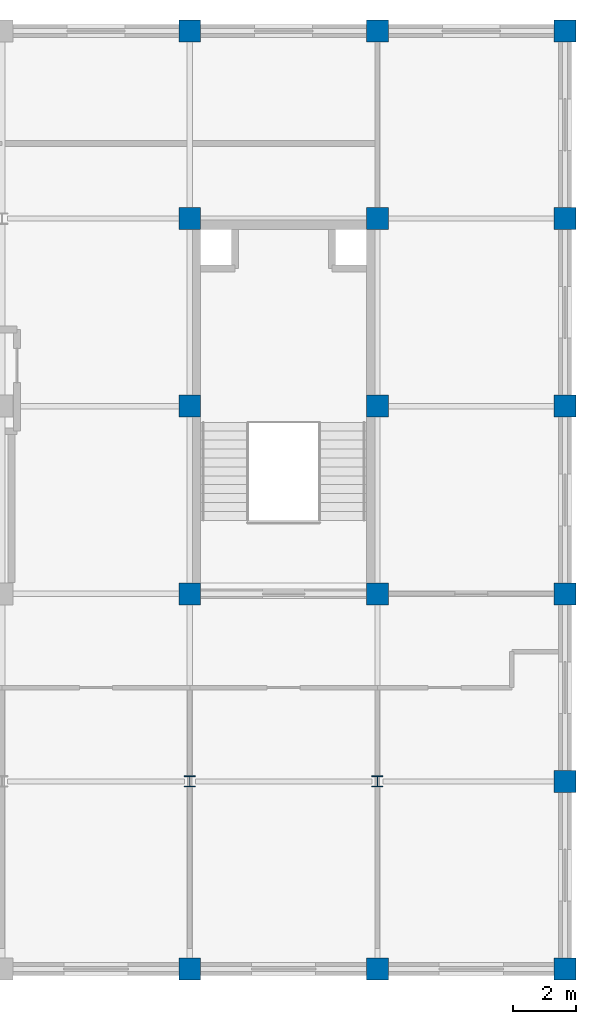
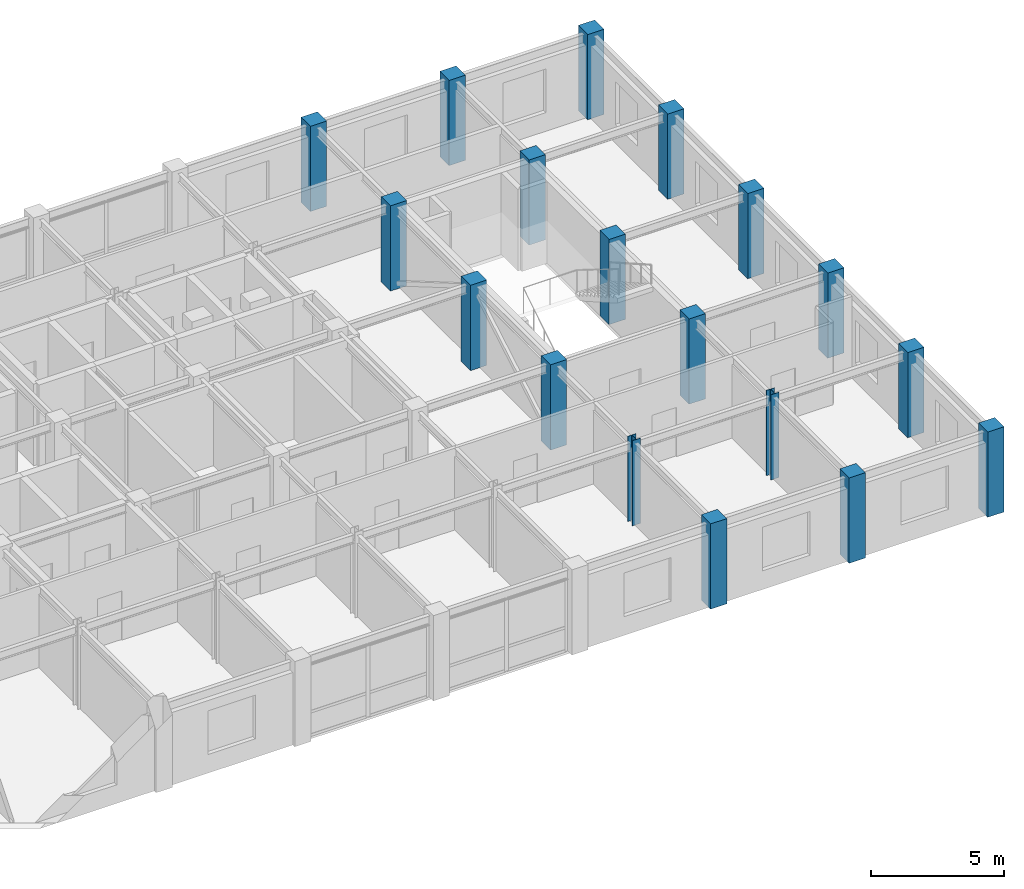
# One storey, part 2 of 12: 18 columns.
"""IFC4 building model written with IfcOpenShell, lengths in metres."""

from ifc_helpers import new_model, si_unit, direction, frame, origin, origin_2d, place, context, subcontext, project, spatial, rectangle, i_section, extrude, material, material_profile, profile_set, type_object, element, save


model = new_model("IFC4")

# Units and contexts
model_context = context("Model", 3, precision=1e-05, world=origin(), true_north=direction((0.0, 1.0)))
body_context = subcontext(model_context, "Body", "Model", "MODEL_VIEW")
ifc_project = project(units=[si_unit("LENGTHUNIT", "METRE"), si_unit("AREAUNIT", "SQUARE_METRE"), si_unit("VOLUMEUNIT", "CUBIC_METRE"), si_unit("PLANEANGLEUNIT", "RADIAN"), si_unit("MASSUNIT", "GRAM", prefix="KILO")], contexts=[model_context])

# Site, building, storey
site_placement = place(None, origin())
site = spatial("IfcSite", under=ifc_project, at=site_placement, CompositionType="ELEMENT")
building_placement = place(site_placement, origin())
building = spatial("IfcBuilding", under=site, at=building_placement, Name="Zlatovratsky Civic Hall", CompositionType="ELEMENT")
storey_placement = place(building_placement, frame((0.0, 0.0, 40.5)))
storey = spatial("IfcBuildingStorey", under=building, at=storey_placement, Name="L10", CompositionType="ELEMENT", Elevation=40.5)

# Columns
ifc_material_1 = material(Name="Concrete C35/45 (B40)", Category="concrete")
ifc_material_profile_1 = material_profile(ifc_material_1, rectangle(XDim=0.699951171875, YDim=0.699951171875, at=origin_2d()), Name="RC 700x700")
ifc_profile_set_1 = profile_set([ifc_material_profile_1], Name="Concrete C35/45 (B40)")
column_type_1 = type_object("IfcColumnType", Name="Col_CorePier_RC700", PredefinedType="COLUMN", material=ifc_profile_set_1)
for number, where, z_axis, x_axis, name in (
    (1, (96.0, 72.0, 0.0), (0.0, 0.0, 1.0), (1.0, 0.0, 0.0), "CL-2309"),
    (2, (102.0, 72.0, 0.0), (0.0, 0.0, 1.0), (1.0, 0.0, 0.0), "CL-2310"),
    (3, (108.0, 72.0, 0.0), (0.0, 0.0, 1.0), (1.0, 0.0, 0.0), "CL-2311"),
    (4, (108.0, 78.0, 0.0), (0.0, 0.0, 1.0), (1.0, 0.0, 0.0), "CL-2320"),
    (5, (96.0, 84.0, 0.0), (0.0, 0.0, 1.0), (1.0, 0.0, 0.0), "CL-2327"),
    (6, (102.0, 84.0, 0.0), (0.0, 0.0, 1.0), (1.0, 0.0, 0.0), "CL-2328"),
    (7, (108.0, 84.0, 0.0), (0.0, 0.0, 1.0), (1.0, 0.0, 0.0), "CL-2329"),
    (8, (96.0, 90.0, 0.0), (0.0, 0.0, 1.0), (1.0, 0.0, 0.0), "CL-2336"),
    (9, (102.0, 90.0, 0.0), (0.0, 0.0, 1.0), (1.0, 0.0, 0.0), "CL-2337"),
    (10, (108.0, 90.0, 0.0), (0.0, 0.0, 1.0), (1.0, 0.0, 0.0), "CL-2338"),
    (11, (96.0, 96.0, 0.0), (0.0, 0.0, 1.0), (1.0, 0.0, 0.0), "CL-2345"),
    (12, (102.0, 96.0, 0.0), (0.0, 0.0, 1.0), (1.0, 0.0, 0.0), "CL-2346"),
    (13, (108.0, 96.0, 0.0), (0.0, 0.0, 1.0), (1.0, 0.0, 0.0), "CL-2347"),
    (14, (96.0, 102.0, 0.0), (0.0, 0.0, 1.0), (1.0, 0.0, 0.0), "CL-2354"),
    (15, (102.0, 102.0, 0.0), (0.0, 0.0, 1.0), (1.0, 0.0, 0.0), "CL-2355"),
    (16, (108.0, 102.0, 0.0), (0.0, 0.0, 1.0), (1.0, 0.0, 0.0), "CL-2356"),
):
    element("IfcColumn", number, at=place(storey_placement, frame(where, z_axis=z_axis, x_axis=x_axis)), inside=storey, type_object=column_type_1, Name=name, PredefinedType="COLUMN", context=body_context, shape_type="SweptSolid", body=[
        extrude(rectangle(XDim=0.699951171875, YDim=0.699951171875, at=origin_2d()), origin(), (0.0, 0.0, 1.0), 3.89990234375),
    ])
ifc_material_2 = material(Name="Steel S355", Category="steel")
ifc_material_profile_2 = material_profile(ifc_material_2, i_section(OverallWidth=0.35009765625, OverallDepth=0.35009765625, WebThickness=0.011962890625, FlangeThickness=0.01904296875, FilletRadius=0.02001953125, at=origin_2d()), Name="35K2")
ifc_profile_set_2 = profile_set([ifc_material_profile_2], Name="Steel S355")
column_type_2 = type_object("IfcColumnType", Name="Col_Steel_35K2", PredefinedType="COLUMN", material=ifc_profile_set_2)
for number, where, z_axis, x_axis, name in (
    (17, (96.0, 78.0, 0.0), (0.0, 0.0, 1.0), (1.0, 0.0, 0.0), "CL-2318"),
    (18, (102.0, 78.0, 0.0), (0.0, 0.0, 1.0), (1.0, 0.0, 0.0), "CL-2319"),
):
    element("IfcColumn", number, at=place(storey_placement, frame(where, z_axis=z_axis, x_axis=x_axis)), inside=storey, type_object=column_type_2, Name=name, PredefinedType="COLUMN", context=body_context, shape_type="SweptSolid", body=[
        extrude(i_section(OverallWidth=0.35009765625, OverallDepth=0.35009765625, WebThickness=0.011962890625, FlangeThickness=0.01904296875, FilletRadius=0.02001953125, at=origin_2d()), origin(), (0.0, 0.0, 1.0), 3.89990234375),
    ])

save(model, "model.ifc")
